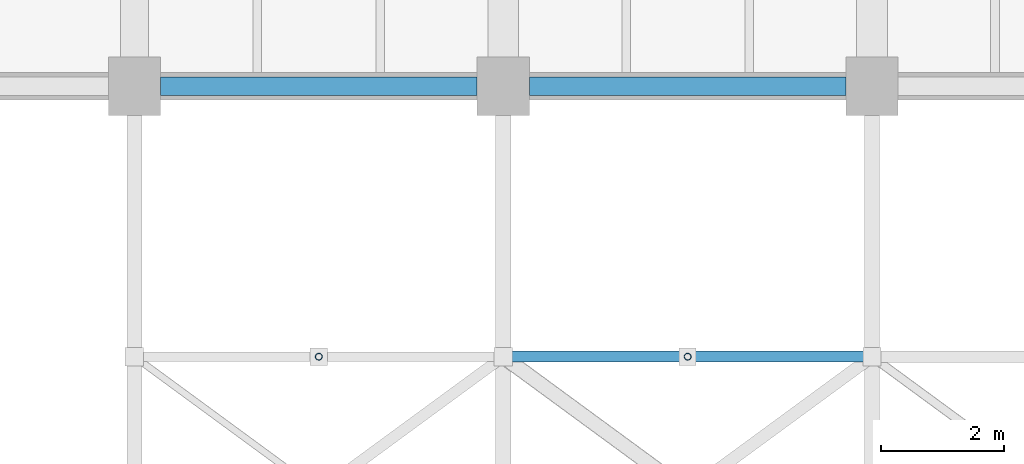
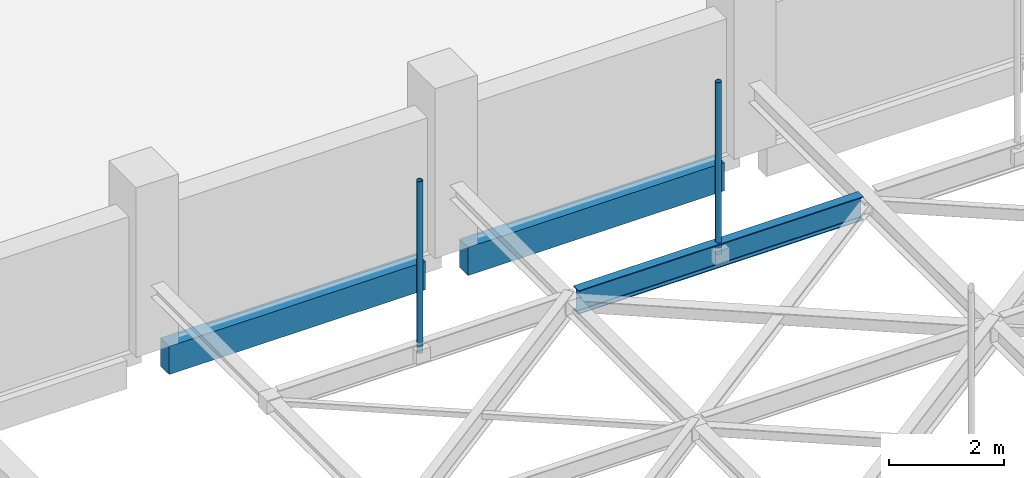
# One storey, part 49 of 93: 3 beams, 2 members.
"""IFC4 building model written with IfcOpenShell, lengths in metres."""

import ifcopenshell
import ifcopenshell.guid

model = None  # the IFC model being written
_history = None  # IfcOwnerHistory: only IFC2X3 demands one
_inside = {}  # id of a spatial element -> (the spatial element, [elements in it])
_under = {}  # id of a project, library or spatial element -> (it, [spatial elements below it])
_declared = {}  # id of a project -> (the project, [libraries it declares])
_typed = {}  # id of a type object -> (the type object, [elements of that type])
_made_of = {}  # id of a material, layer set ... -> (it, [elements and type objects made of it])


def new_model(schema):
    """Start an empty IFC model of exactly this schema.

    Asked for "IFC4X3", IfcOpenShell would pick the latest addendum, in which some entities
    have other attributes; the version numbers below select the first issue.
    IFC2X3 requires an IfcOwnerHistory on every rooted entity: one is made here for all.
    """
    global model, _history
    if schema == "IFC4X3":
        model = ifcopenshell.file(schema_version=(4, 3, 0, 0))
    else:
        model = ifcopenshell.file(schema=schema)
    _inside.clear()
    _under.clear()
    _declared.clear()
    _typed.clear()
    _made_of.clear()
    _history = None
    if model.schema == "IFC2X3":
        org = make("IfcOrganization", Name="unknown")
        user = make(
            "IfcPersonAndOrganization",
            ThePerson=make("IfcPerson", FamilyName="unknown"),
            TheOrganization=org,
        )
        app = make(
            "IfcApplication",
            ApplicationDeveloper=org,
            Version="unknown",
            ApplicationFullName="unknown",
            ApplicationIdentifier="unknown",
        )
        _history = make(
            "IfcOwnerHistory",
            OwningUser=user,
            OwningApplication=app,
            ChangeAction="ADDED",
            CreationDate=0,
        )
    return model


def make(cls, **values):
    """One entity of the class cls with the attributes given. An attribute that is None is left unset."""
    return model.create_entity(
        cls, **{name: value for name, value in values.items() if value is not None}
    )


def rooted(cls, **values):
    """An entity with a GlobalId (a new one), such as an element, a storey or a relation."""
    return make(cls, GlobalId=ifcopenshell.guid.new(), OwnerHistory=_history, **values)


def si_unit(unit_type, name, prefix=None):
    """IfcSIUnit, for example si_unit("LENGTHUNIT", "METRE", prefix="MILLI")."""
    return make("IfcSIUnit", UnitType=unit_type, Prefix=prefix, Name=name)


def assignment(units):
    """IfcUnitAssignment: the units of a project."""
    return None if units is None else make("IfcUnitAssignment", Units=units)


def point(xyz):
    """IfcCartesianPoint."""
    return None if xyz is None else make("IfcCartesianPoint", Coordinates=xyz)


def direction(xyz):
    """IfcDirection."""
    return None if xyz is None else make("IfcDirection", DirectionRatios=xyz)


def frame(location, z_axis=None, x_axis=None):
    """IfcAxis2Placement3D, a coordinate frame: its origin and axes. An axis left out is left unset."""
    return make(
        "IfcAxis2Placement3D",
        Location=point(location),
        Axis=direction(z_axis),
        RefDirection=direction(x_axis),
    )


def frame_2d(location, x_axis=None):
    """IfcAxis2Placement2D, a coordinate frame in the plane: its origin and x axis."""
    return make(
        "IfcAxis2Placement2D", Location=point(location), RefDirection=direction(x_axis)
    )


def origin():
    """The frame at (0, 0, 0) with its axes left unset."""
    return frame((0.0, 0.0, 0.0))


def origin_2d():
    """The frame at (0, 0) in the plane with its x axis left unset."""
    return frame_2d((0.0, 0.0))


def place(relative_to, where):
    """IfcLocalPlacement: puts the frame where relative to a parent placement (None: the world)."""
    return make(
        "IfcLocalPlacement", PlacementRelTo=relative_to, RelativePlacement=where
    )


def context(
    kind, dimensions, precision=None, world=None, true_north=None, identifier=None
):
    """IfcGeometricRepresentationContext, for example the 3D "Model" context."""
    return make(
        "IfcGeometricRepresentationContext",
        ContextIdentifier=identifier,
        ContextType=kind,
        CoordinateSpaceDimension=dimensions,
        Precision=precision,
        WorldCoordinateSystem=world,
        TrueNorth=true_north,
    )


def subcontext(parent, identifier, kind, view, scale=None):
    """IfcGeometricRepresentationSubContext, for example "Body" below "Model"."""
    return make(
        "IfcGeometricRepresentationSubContext",
        ContextIdentifier=identifier,
        ContextType=kind,
        ParentContext=parent,
        TargetScale=scale,
        TargetView=view,
    )


def project(units=None, contexts=None):
    """IfcProject with its units and contexts."""
    return rooted(
        "IfcProject",
        Name="project",
        RepresentationContexts=contexts,
        UnitsInContext=assignment(units),
    )


def spatial(cls, under=None, at=None, **own):
    """A site, building, storey or space (cls), placed at a placement, below another one or the project."""
    s = rooted(cls, ObjectPlacement=at, **own)
    if under is not None:
        _under.setdefault(under.id(), (under, []))[1].append(s)
    return s


def profile(cls, at=None, kind="AREA", **sizes):
    """A parametric profile (cls). Its sizes go by their IFC names, for example OverallWidth=200.0."""
    return make(cls, ProfileType=kind, Position=at, **sizes)


def rectangle(**sizes):
    """IfcRectangleProfileDef."""
    return profile("IfcRectangleProfileDef", **sizes)


def hollow_circle(**sizes):
    """IfcCircleHollowProfileDef."""
    return profile("IfcCircleHollowProfileDef", **sizes)


def i_section(**sizes):
    """IfcIShapeProfileDef."""
    return profile("IfcIShapeProfileDef", **sizes)


def extrude(swept, where, along, depth):
    """IfcExtrudedAreaSolid: the profile swept, set in the frame where, extruded along a direction by depth."""
    return make(
        "IfcExtrudedAreaSolid",
        SweptArea=swept,
        Position=where,
        ExtrudedDirection=direction(along),
        Depth=depth,
    )


def shape(context_of_items, identifier, shape_type, items):
    """IfcShapeRepresentation: the items that make up one representation, for example the "Body"."""
    return make(
        "IfcShapeRepresentation",
        ContextOfItems=context_of_items,
        RepresentationIdentifier=identifier,
        RepresentationType=shape_type,
        Items=items,
    )


def material(Name=None, Category=None):
    """IfcMaterial."""
    return make("IfcMaterial", Name=Name, Category=Category)


def material_profile(
    of_material, cross_section, Name=None, Category=None, Priority=None
):
    """IfcMaterialProfile: a cross section and its material."""
    return make(
        "IfcMaterialProfile",
        Name=Name,
        Material=of_material,
        Profile=cross_section,
        Priority=Priority,
        Category=Category,
    )


def profile_set(profiles, Name=None, composite=None):
    """IfcMaterialProfileSet."""
    return make(
        "IfcMaterialProfileSet",
        Name=Name,
        MaterialProfiles=profiles,
        CompositeProfile=composite,
    )


def made_of(thing, what):
    """Note that an element or type object is made of a material, layer set ...; save() writes the relation."""
    if what is not None:
        _made_of.setdefault(what.id(), (what, []))[1].append(thing)
    return thing


def type_object(cls, material=None, **own):
    """A type object (cls), such as IfcWallType, which elements share."""
    return made_of(rooted(cls, **own), material)


def element(
    cls,
    number,
    at=None,
    inside=None,
    cuts=None,
    type_object=None,
    material=None,
    context=None,
    identifier="Body",
    shape_type=None,
    held_by="IfcProductDefinitionShape",
    body=None,
    shapes=None,
    **own,
):
    """One element of the class cls, such as IfcWall. Its Tag is "e" and its number.

    at: its placement. inside: the storey or other place that contains it. cuts: it is an
    opening in that element (IfcRelVoidsElement). A single representation is given by context,
    identifier, shape_type and body (its items); several are given by shapes. held_by: the class
    of the entity that holds the representations. save() writes the other relations.
    """
    e = rooted(cls, Tag="e%d" % number, ObjectPlacement=at, **own)
    if body is not None:
        shapes = [shape(context, identifier, shape_type, body)]
    if shapes is not None:
        e.Representation = make(held_by, Representations=shapes)
    if inside is not None:
        _inside.setdefault(inside.id(), (inside, []))[1].append(e)
    if cuts is not None:
        rooted(
            "IfcRelVoidsElement", RelatingBuildingElement=cuts, RelatedOpeningElement=e
        )
    if type_object is not None:
        _typed.setdefault(type_object.id(), (type_object, []))[1].append(e)
    return made_of(e, material)


def aggregate(whole, parts):
    """IfcRelAggregates: a whole, such as a stair, and the parts it consists of."""
    return rooted("IfcRelAggregates", RelatingObject=whole, RelatedObjects=parts)


def save(model, path):
    """Write the relations noted so far, then the file.

    IfcRelAggregates (storeys below a building ...), IfcRelContainedInSpatialStructure (elements
    in a storey), IfcRelDefinesByType, IfcRelAssociatesMaterial and IfcRelDeclares: one each for
    every whole, place, type object, material and project.
    """
    for whole, parts in _under.values():
        aggregate(whole, parts)
    for where, things in _inside.values():
        rooted(
            "IfcRelContainedInSpatialStructure",
            RelatedElements=things,
            RelatingStructure=where,
        )
    for kind, things in _typed.values():
        rooted("IfcRelDefinesByType", RelatedObjects=things, RelatingType=kind)
    for what, things in _made_of.values():
        rooted("IfcRelAssociatesMaterial", RelatedObjects=things, RelatingMaterial=what)
    for by, libraries in _declared.values():
        rooted("IfcRelDeclares", RelatingContext=by, RelatedDefinitions=libraries)
    model.write(path)


model = new_model("IFC4")

# Units and contexts
model_context = context("Model", 3, precision=1e-05, world=origin(), true_north=direction((0.0, 1.0)))
body_context = subcontext(model_context, "Body", "Model", "MODEL_VIEW")
ifc_project = project(units=[si_unit("LENGTHUNIT", "METRE"), si_unit("AREAUNIT", "SQUARE_METRE"), si_unit("VOLUMEUNIT", "CUBIC_METRE"), si_unit("PLANEANGLEUNIT", "RADIAN"), si_unit("MASSUNIT", "GRAM", prefix="KILO")], contexts=[model_context])

# Site, building, storey
site_placement = place(None, origin())
site = spatial("IfcSite", under=ifc_project, at=site_placement, CompositionType="ELEMENT")
building_placement = place(site_placement, origin())
building = spatial("IfcBuilding", under=site, at=building_placement, Name="Varnakota Cinema and Media Centre", CompositionType="ELEMENT")
storey_placement = place(building_placement, frame((0.0, 0.0, 12.0)))
storey = spatial("IfcBuildingStorey", under=building, at=storey_placement, Name="L03", CompositionType="ELEMENT", Elevation=12.0)

# Beams
ifc_material_1 = material(Name="Concrete M35", Category="concrete")
ifc_material_profile_1 = material_profile(ifc_material_1, rectangle(XDim=0.300048828125, YDim=0.60009765625, at=origin_2d()), Name="RCB 300x600")
ifc_profile_set_1 = profile_set([ifc_material_profile_1], Name="Concrete M35")
beam_type_1 = type_object("IfcBeamType", Name="BM-SP-300x600", PredefinedType="SPANDREL", material=ifc_profile_set_1)
for number, where, z_axis, x_axis, name in (
    (1, (81.425048828125, 35.199951171875, -0.56005859375), (1.0, 0.0, 0.0), (0.0, 1.0, 0.0), "L03 girder L-M/5"),
    (2, (87.425048828125, 35.199951171875, -0.56005859375), (1.0, 0.0, 0.0), (0.0, 1.0, 0.0), "L03 girder M-N/5"),
):
    element("IfcBeam", number, at=place(storey_placement, frame(where, z_axis=z_axis, x_axis=x_axis)), inside=storey, type_object=beam_type_1, Name=name, PredefinedType="SPANDREL", context=body_context, shape_type="SweptSolid", body=[
        extrude(rectangle(XDim=0.300048828125, YDim=0.60009765625, at=origin_2d()), origin(), (0.0, 0.0, 1.0), 5.14990234375),
    ])
ifc_material_2 = material(Name="Structural steel Grade 350 (E350)", Category="steel")
ifc_material_profile_2 = material_profile(ifc_material_2, i_section(OverallWidth=0.179931640625, OverallDepth=0.5, WebThickness=0.01025390625, FlangeThickness=0.01708984375, FilletRadius=0.01708984375, at=origin_2d()), Name="ISMB 500")
ifc_profile_set_2 = profile_set([ifc_material_profile_2], Name="Structural steel Grade 350 (E350)")
beam_type_2 = type_object("IfcBeamType", Name="BM-ST-ISMB500", PredefinedType="BEAM", material=ifc_profile_set_2)
beam_placement = place(storey_placement, frame((87.139892578125, 30.800048828125, 1.300048828125), z_axis=(1.0, 0.0, 0.0), x_axis=(0.0, 1.0, 0.0)))
element("IfcBeam", 3, at=beam_placement, inside=storey, type_object=beam_type_2, Name="V1 rigging beam 3.7", PredefinedType="BEAM", context=body_context, shape_type="SweptSolid", body=[
    extrude(i_section(OverallWidth=0.179931640625, OverallDepth=0.5, WebThickness=0.01025390625, FlangeThickness=0.01708984375, FilletRadius=0.01708984375, at=origin_2d()), origin(), (0.0, 0.0, 1.0), 5.72021484375),
])

# Members
ifc_material_3 = material(Name="Structural steel S355 (YSt 355)", Category="steel")
ifc_material_profile_3 = material_profile(ifc_material_3, hollow_circle(Radius=0.05712890625, WallThickness=0.00537109375, at=origin_2d()), Name="CHS 114.3x5.4")
ifc_profile_set_3 = profile_set([ifc_material_profile_3], Name="Structural steel S355 (YSt 355)")
member_type = type_object("IfcMemberType", Name="MEM-ST-CHS114_3x5_4", PredefinedType="BRACE", material=ifc_profile_set_3)
for number, where, z_axis, x_axis, name in (
    (4, (84.0, 30.800048828125, 1.300048828125), (0.0, 0.0, 1.0), (1.0, 0.0, 0.0), "V1 rigging hanger 2.4"),
    (5, (90.0, 30.800048828125, 1.300048828125), (0.0, 0.0, 1.0), (1.0, 0.0, 0.0), "V1 rigging hanger 3.4"),
):
    element("IfcMember", number, at=place(storey_placement, frame(where, z_axis=z_axis, x_axis=x_axis)), inside=storey, type_object=member_type, Name=name, PredefinedType="BRACE", context=body_context, shape_type="SweptSolid", body=[
        extrude(hollow_circle(Radius=0.05712890625, WallThickness=0.00537109375, at=origin_2d()), origin(), (0.0, 0.0, 1.0), 3.64990234375),
    ])

save(model, "model.ifc")
